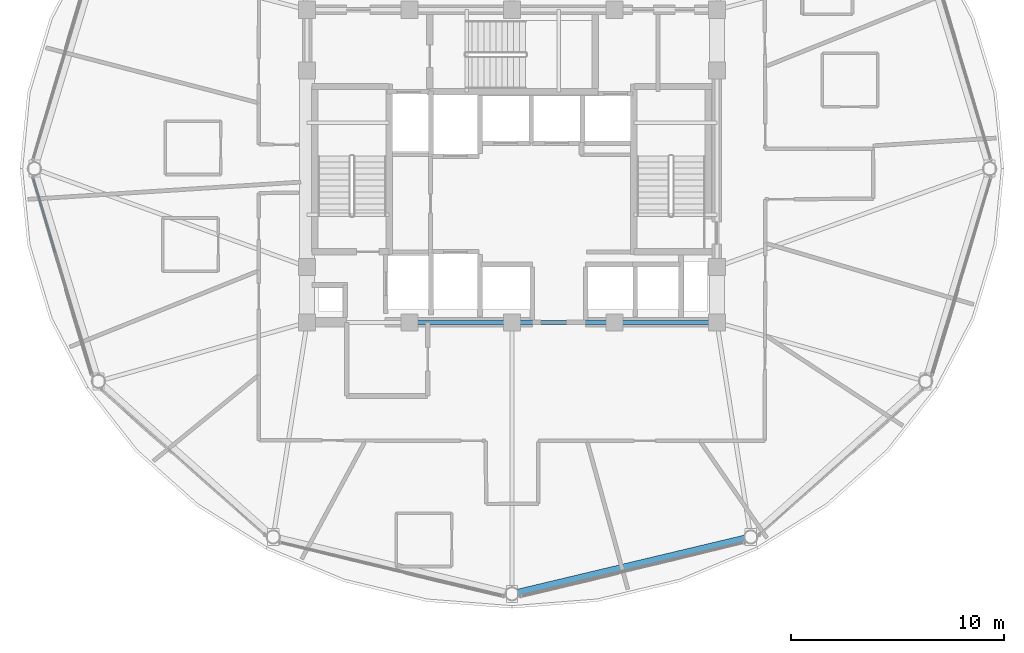
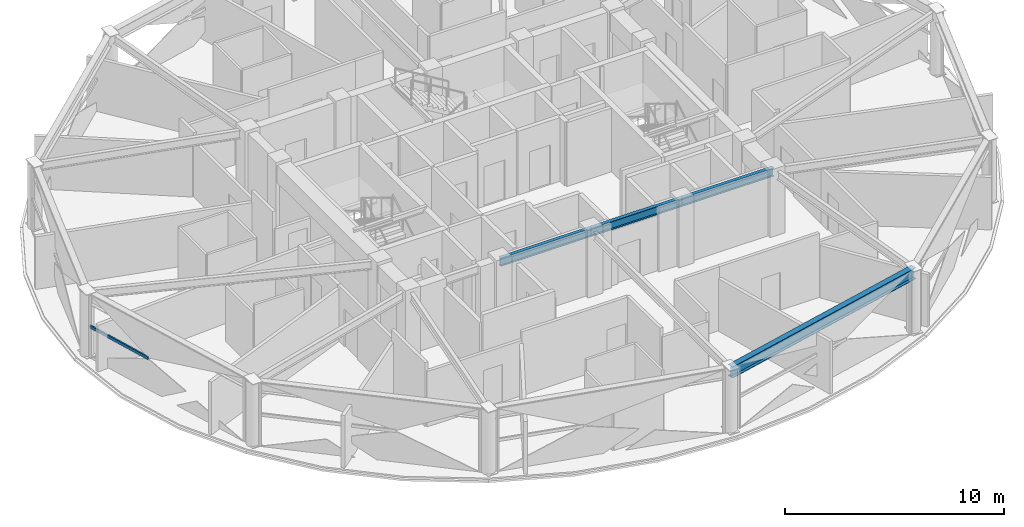
# One storey, part 6 of 30: 4 beams, 1 member, 1 element without a shape of its own.
"""IFC4 building model written with IfcOpenShell, lengths in metres."""

from ifc_helpers import new_model, si_unit, direction, frame, origin, origin_2d, place, context, subcontext, project, spatial, hollow_rectangle, i_section, extrude, material, layer, layer_set, material_profile, profile_set, type_object, element, aggregate, save


model = new_model("IFC4")

# Units and contexts
model_context = context("Model", 3, precision=1e-05, world=origin(), true_north=direction((0.0, 1.0)))
body_context = subcontext(model_context, "Body", "Model", "MODEL_VIEW")
ifc_project = project(units=[si_unit("LENGTHUNIT", "METRE"), si_unit("AREAUNIT", "SQUARE_METRE"), si_unit("VOLUMEUNIT", "CUBIC_METRE"), si_unit("PLANEANGLEUNIT", "RADIAN"), si_unit("MASSUNIT", "GRAM", prefix="KILO")], contexts=[model_context])

# Site, building, storey
site_placement = place(None, origin())
site = spatial("IfcSite", under=ifc_project, at=site_placement, CompositionType="ELEMENT")
building_placement = place(site_placement, origin())
building = spatial("IfcBuilding", under=site, at=building_placement, Name="Vantalir Tower", CompositionType="ELEMENT")
storey_placement = place(building_placement, frame((0.0, 0.0, 201.14990234375)))
storey = spatial("IfcBuildingStorey", under=building, at=storey_placement, Name="L50", CompositionType="ELEMENT", Elevation=201.14990234375)

# Beams
ifc_material_1 = material(Name="Steel S355", Category="steel")
ifc_material_profile_1 = material_profile(ifc_material_1, i_section(OverallWidth=0.19189453125, OverallDepth=0.462890625, WebThickness=0.010498046875, FlangeThickness=0.017578125, at=origin_2d()), Name="Steel S355")
ifc_profile_set_1 = profile_set([ifc_material_profile_1], Name="Steel S355")
beam_type_1 = type_object("IfcBeamType", Name="BM-RB-457x191", PredefinedType="BEAM", material=ifc_profile_set_1)
for number, where, z_axis, x_axis, name in (
    (1, (26.699951171875, 17.800048828125, 3.338134765625), (1.0, 0.0, 0.0), (0.0, 1.0, 0.0), "L50 Core Coupling Girder 02"),
    (2, (31.5, 17.800048828125, 3.338134765625), (1.0, 0.0, 0.0), (0.0, 1.0, 0.0), "L50 Core Coupling Girder 03"),
    (3, (36.300048828125, 17.800048828125, 3.338134765625), (1.0, 0.0, 0.0), (0.0, 1.0, 0.0), "L50 Core Coupling Girder 04"),
):
    element("IfcBeam", number, at=place(storey_placement, frame(where, z_axis=z_axis, x_axis=x_axis)), inside=storey, type_object=beam_type_1, Name=name, PredefinedType="BEAM", context=body_context, shape_type="SweptSolid", body=[
        extrude(i_section(OverallWidth=0.19189453125, OverallDepth=0.462890625, WebThickness=0.010498046875, FlangeThickness=0.017578125, at=origin_2d()), origin(), (0.0, 0.0, 1.0), 4.800048828125),
    ])
ifc_material_2 = material(Name="Steel S460", Category="steel")
ifc_material_profile_2 = material_profile(ifc_material_2, i_section(OverallWidth=0.306884765625, OverallDepth=0.6201171875, WebThickness=0.01416015625, FlangeThickness=0.023681640625, at=origin_2d()), Name="Steel S460")
ifc_profile_set_2 = profile_set([ifc_material_profile_2], Name="Steel S460")
beam_type_2 = type_object("IfcBeamType", Name="BM-RG-610x305", PredefinedType="USERDEFINED", material=ifc_profile_set_2)
beam_placement = place(storey_placement, frame((31.5, 5.074951171875, 3.260009765625), z_axis=(0.972719168126, 0.231985818447, 0.0), x_axis=(-0.231985818447, 0.972719168126, 0.0)))
element("IfcBeam", 4, at=beam_placement, inside=storey, type_object=beam_type_2, Name="L50 Circumferential Ring Girder 10", ObjectType="GIRDER", PredefinedType="USERDEFINED", context=body_context, shape_type="SweptSolid", body=[
    extrude(i_section(OverallWidth=0.306884765625, OverallDepth=0.6201171875, WebThickness=0.01416015625, FlangeThickness=0.023681640625, at=origin_2d()), origin(), (0.0, 0.0, 1.0), 11.5048828125),
])

# Curtain wall, member
ifc_material_3 = material(Name="Champagne-silver PVDF aluminium and double-silver Low-E glass", Category="aluminium")
ifc_layer = layer(ifc_material_3, 0.2099609375)
ifc_layer_set = layer_set([ifc_layer], Name="Champagne-silver PVDF aluminium and double-silver Low-E glass")
curtain_wall_type = type_object("IfcCurtainWallType", Name="CW-DIAMOND-Z3", PredefinedType="USERDEFINED", material=ifc_layer_set)
curtain_wall_placement = place(storey_placement, origin())
curtain_wall = element("IfcCurtainWall", 5, at=curtain_wall_placement, inside=storey, type_object=curtain_wall_type, Name="L50 Quilted Pyramid-Diamond Curtain Wall S07", ObjectType="UNITISED CURTAIN WALL", PredefinedType="USERDEFINED")
ifc_material_4 = material(Name="Champagne-silver PVDF aluminium 6063-T6", Category="aluminium")
ifc_material_profile_3 = material_profile(ifc_material_4, hollow_rectangle(XDim=0.074951171875, YDim=0.159912109375, WallThickness=0.00390625, at=origin_2d()), Name="Champagne-silver PVDF aluminium 6063-T6")
ifc_profile_set_3 = profile_set([ifc_material_profile_3], Name="Champagne-silver PVDF aluminium 6063-T6")
member_type = type_object("IfcMemberType", Name="CWT-160x75", PredefinedType="USERDEFINED", material=ifc_profile_set_3)
member_placement = place(storey_placement, frame((9.0458984375, 24.60693359375, 1.78515625), z_axis=(0.281799625696, -0.959473277876, 0.0), x_axis=(0.959473277876, 0.281799625696, 0.0)))
member = element("IfcMember", 6, at=member_placement, type_object=member_type, Name="CW-L50-S07 Pyramid Fold Ridge Transom", ObjectType="TRANSOM", PredefinedType="USERDEFINED", context=body_context, shape_type="SweptSolid", body=[
    extrude(hollow_rectangle(XDim=0.074951171875, YDim=0.159912109375, WallThickness=0.00390625, at=origin_2d()), origin(), (0.0, 0.0, 1.0), 3.6767578125),
])
aggregate(curtain_wall, [member])

save(model, "model.ifc")
